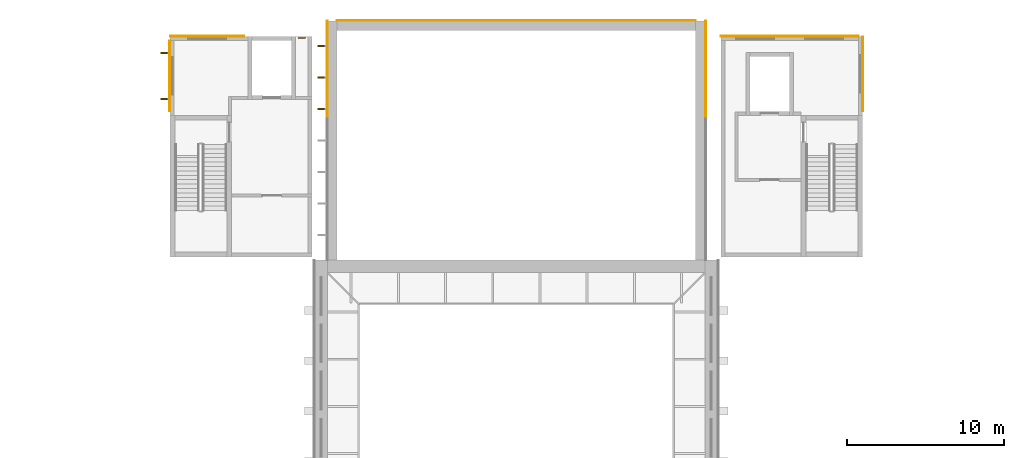
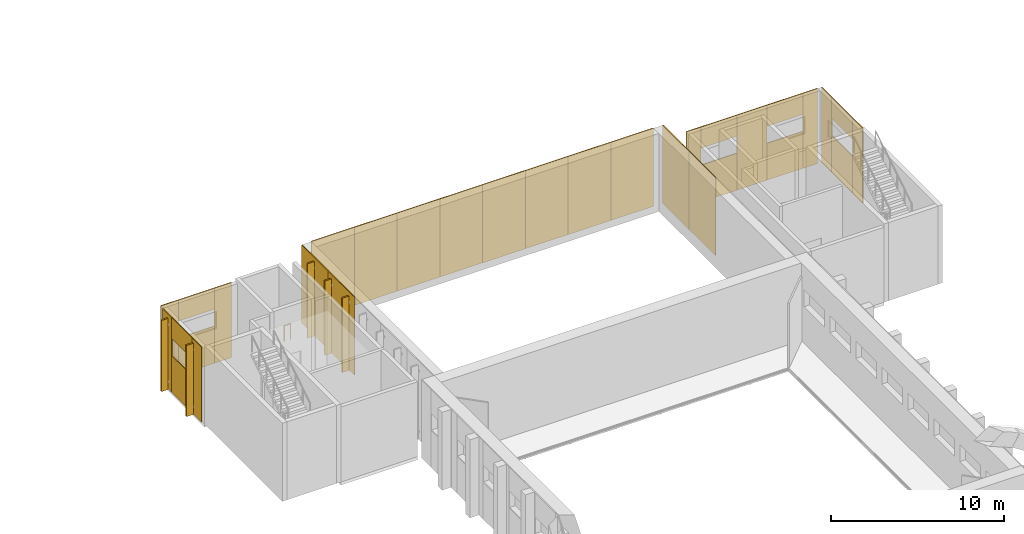
# One storey, part 91 of 94: 31 coverings, 5 shading devices, 1 railing.
"""IFC4 building model written with IfcOpenShell, lengths in metres."""

from ifc_helpers import new_model, si_unit, direction, frame, origin, origin_2d, place, context, subcontext, project, spatial, rectangle, circle, extrude, material, layer, layer_set, type_object, element, save


model = new_model("IFC4")

# Units and contexts
model_context = context("Model", 3, precision=1e-05, world=origin(), true_north=direction((0.0, 1.0)))
body_context = subcontext(model_context, "Body", "Model", "MODEL_VIEW")
ifc_project = project(units=[si_unit("LENGTHUNIT", "METRE"), si_unit("AREAUNIT", "SQUARE_METRE"), si_unit("VOLUMEUNIT", "CUBIC_METRE"), si_unit("PLANEANGLEUNIT", "RADIAN"), si_unit("MASSUNIT", "GRAM", prefix="KILO")], contexts=[model_context])

# Site, building, storey
site_placement = place(None, origin())
site = spatial("IfcSite", under=ifc_project, at=site_placement, CompositionType="ELEMENT")
building_placement = place(site_placement, origin())
building = spatial("IfcBuilding", under=site, at=building_placement, Name="Lunette Opera House", CompositionType="ELEMENT")
storey_placement = place(building_placement, frame((0.0, 0.0, 22.5)))
storey = spatial("IfcBuildingStorey", under=building, at=storey_placement, Name="L04", CompositionType="ELEMENT", Elevation=22.5)

# Railing
ifc_material_1 = material(Name="Steel S355", Category="steel")
railing_type = type_object("IfcRailingType", Name="DECK GUARD 1100", PredefinedType="GUARDRAIL", material=ifc_material_1)
railing_placement = place(storey_placement, frame((82.580078125, 134.919921875, 0.0)))
element("IfcRailing", 1, at=railing_placement, inside=storey, type_object=railing_type, Name="Deck guard 045", PredefinedType="GUARDRAIL", context=body_context, shape_type="SweptSolid", body=[
    extrude(circle(Radius=0.02392578125, at=origin_2d()), frame((0.0, 0.0, 1.076171875), z_axis=(-1.0, 0.0, 0.0), x_axis=(0.0, -1.0, 0.0)), (0.0, 0.0, 1.0), 0.420166015625),
    extrude(circle(Radius=0.02099609375, at=origin_2d()), origin(), (0.0, 0.0, 1.0), 1.052001953125),
    extrude(circle(Radius=0.02099609375, at=origin_2d()), frame((-0.420166015625, 0.0, 0.0)), (0.0, 0.0, 1.0), 1.052001953125),
])

# Shading devices
ifc_material_2 = material(Name="Powder-coated aluminium", Category="aluminium")
shading_device_type = type_object("IfcShadingDeviceType", Name="SOLAR FIN 100 X 450", PredefinedType="USERDEFINED", material=ifc_material_2)
for number, where, z_axis, x_axis, name in (
    (2, (83.614990234375, 130.39990234375, 0.115234375), (0.0, 0.0, 1.0), (-1.0, 0.0, 0.0), "Solar fin ST-W088 5"),
    (3, (83.614990234375, 132.39990234375, 0.115234375), (0.0, 0.0, 1.0), (-1.0, 0.0, 0.0), "Solar fin ST-W088 6"),
    (4, (83.614990234375, 134.39990234375, 0.115234375), (0.0, 0.0, 1.0), (-1.0, 0.0, 0.0), "Solar fin ST-W088 7"),
):
    element("IfcShadingDevice", number, at=place(storey_placement, frame(where, z_axis=z_axis, x_axis=x_axis)), inside=storey, type_object=shading_device_type, Name=name, ObjectType="SOLAR FIN", PredefinedType="USERDEFINED", context=body_context, shape_type="SweptSolid", body=[
        extrude(rectangle(XDim=0.449951171875, YDim=0.10009765625, at=origin_2d()), origin(), (0.0, 0.0, 1.0), 5.235107421875),
    ])
for number, where, z_axis, x_axis, name in (
    (5, (73.614990234375, 133.949951171875, 0.11572265625), (0.0, 0.0, 1.0), (-1.0, 0.0, 0.0), "Solar fin ST-W2032 1"),
    (6, (73.614990234375, 131.050048828125, 0.11572265625), (0.0, 0.0, 1.0), (-1.0, 0.0, 0.0), "Solar fin ST-W2032 2"),
):
    element("IfcShadingDevice", number, at=place(storey_placement, frame(where, z_axis=z_axis, x_axis=x_axis)), inside=storey, type_object=shading_device_type, Name=name, ObjectType="SOLAR FIN", PredefinedType="USERDEFINED", context=body_context, shape_type="SweptSolid", body=[
        extrude(rectangle(XDim=0.449951171875, YDim=0.10009765625, at=origin_2d()), origin(), (0.0, 0.0, 1.0), 5.014892578125),
    ])

# Coverings
ifc_material_3 = material(Name="Aluminium standing seam cladding", Category="aluminium")
ifc_layer = layer(ifc_material_3, 0.06005859375)
ifc_layer_set = layer_set([ifc_layer], Name="Aluminium standing seam cladding")
covering_type = type_object("IfcCoveringType", Name="STANDING SEAM CLADDING 60", PredefinedType="CLADDING", material=ifc_layer_set)
for number, where, z_axis, x_axis, name in (
    (7, (83.969970703125, 131.43994140625, 0.0), (0.0, 0.0, 1.0), (0.0, 1.0, 0.0), "Standing seam cladding SR-W-1 L04 03"),
    (8, (83.969970703125, 134.47998046875, 0.0), (0.0, 0.0, 1.0), (0.0, 1.0, 0.0), "Standing seam cladding SR-W-1 L04 04"),
    (9, (108.030029296875, 131.43994140625, 0.0), (0.0, 0.0, 1.0), (0.0, 1.0, 0.0), "Standing seam cladding SR-E-1 L04 03"),
    (10, (108.030029296875, 134.47998046875, 0.0), (0.0, 0.0, 1.0), (0.0, 1.0, 0.0), "Standing seam cladding SR-E-1 L04 04"),
):
    element("IfcCovering", number, at=place(storey_placement, frame(where, z_axis=z_axis, x_axis=x_axis)), inside=storey, type_object=covering_type, Name=name, PredefinedType="CLADDING", context=body_context, shape_type="SweptSolid", body=[
        extrude(rectangle(XDim=3.0400390625, YDim=0.06005859375, at=origin_2d()), origin(), (0.0, 0.0, 1.0), 5.5),
    ])
for number, where, z_axis, x_axis, name in (
    (11, (86.02490234375, 136.030029296875, 0.0), (0.0, 0.0, 1.0), (1.0, 0.0, 0.0), "Standing seam cladding SR-N-1 L04 00"),
    (12, (88.875, 136.030029296875, 0.0), (0.0, 0.0, 1.0), (1.0, 0.0, 0.0), "Standing seam cladding SR-N-1 L04 01"),
    (13, (91.72509765625, 136.030029296875, 0.0), (0.0, 0.0, 1.0), (1.0, 0.0, 0.0), "Standing seam cladding SR-N-1 L04 02"),
    (14, (94.574951171875, 136.030029296875, 0.0), (0.0, 0.0, 1.0), (1.0, 0.0, 0.0), "Standing seam cladding SR-N-1 L04 03"),
    (15, (97.425048828125, 136.030029296875, 0.0), (0.0, 0.0, 1.0), (1.0, 0.0, 0.0), "Standing seam cladding SR-N-1 L04 04"),
    (16, (100.27490234375, 136.030029296875, 0.0), (0.0, 0.0, 1.0), (1.0, 0.0, 0.0), "Standing seam cladding SR-N-1 L04 05"),
    (17, (103.125, 136.030029296875, 0.0), (0.0, 0.0, 1.0), (1.0, 0.0, 0.0), "Standing seam cladding SR-N-1 L04 06"),
    (18, (105.97509765625, 136.030029296875, 0.0), (0.0, 0.0, 1.0), (1.0, 0.0, 0.0), "Standing seam cladding SR-N-1 L04 07"),
):
    element("IfcCovering", number, at=place(storey_placement, frame(where, z_axis=z_axis, x_axis=x_axis)), inside=storey, type_object=covering_type, Name=name, PredefinedType="CLADDING", context=body_context, shape_type="SweptSolid", body=[
        extrude(rectangle(XDim=2.85009765625, YDim=0.06005859375, at=origin_2d()), origin(), (0.0, 0.0, 1.0), 5.5),
    ])
covering_1_placement = place(storey_placement, frame((78.126953125, 135.030029296875, 0.0), z_axis=(0.0, 0.0, 1.0), x_axis=(-1.0, 0.0, 0.0)))
element("IfcCovering", 19, at=covering_1_placement, inside=storey, type_object=covering_type, Name="Standing seam cladding TW31 L04 00", PredefinedType="CLADDING", context=body_context, shape_type="SweptSolid", body=[
    extrude(rectangle(XDim=1.15087890625, YDim=0.06005859375, at=origin_2d()), origin(), (0.0, 0.0, 1.0), 5.280029296875),
])
covering_2_placement = place(storey_placement, frame((76.35205078125, 135.030029296875, 0.0), z_axis=(0.0, 0.0, 1.0), x_axis=(-1.0, 0.0, 0.0)))
element("IfcCovering", 20, at=covering_2_placement, inside=storey, type_object=covering_type, Name="Standing seam cladding TW31 L04 10", PredefinedType="CLADDING", context=body_context, shape_type="SweptSolid", body=[
    extrude(rectangle(XDim=2.39990234375, YDim=0.06005859375, at=origin_2d()), origin(), (0.0, 0.0, 1.0), 2.60009765625),
])
covering_3_placement = place(storey_placement, frame((76.35205078125, 135.030029296875, 3.800048828125), z_axis=(0.0, 0.0, 1.0), x_axis=(-1.0, 0.0, 0.0)))
element("IfcCovering", 21, at=covering_3_placement, inside=storey, type_object=covering_type, Name="Standing seam cladding TW31 L04 11", PredefinedType="CLADDING", context=body_context, shape_type="SweptSolid", body=[
    extrude(rectangle(XDim=2.39990234375, YDim=0.06005859375, at=origin_2d()), origin(), (0.0, 0.0, 1.0), 1.47998046875),
])
covering_4_placement = place(storey_placement, frame((74.575927734375, 135.030029296875, 0.0), z_axis=(0.0, 0.0, 1.0), x_axis=(-1.0, 0.0, 0.0)))
element("IfcCovering", 22, at=covering_4_placement, inside=storey, type_object=covering_type, Name="Standing seam cladding TW31 L04 20", PredefinedType="CLADDING", context=body_context, shape_type="SweptSolid", body=[
    extrude(rectangle(XDim=1.152099609375, YDim=0.06005859375, at=origin_2d()), origin(), (0.0, 0.0, 1.0), 5.280029296875),
])
covering_5_placement = place(storey_placement, frame((73.969970703125, 134.22509765625, 0.0), z_axis=(0.0, 0.0, 1.0), x_axis=(0.0, -1.0, 0.0)))
element("IfcCovering", 23, at=covering_5_placement, inside=storey, type_object=covering_type, Name="Standing seam cladding TW32 L04 00", PredefinedType="CLADDING", context=body_context, shape_type="SweptSolid", body=[
    extrude(rectangle(XDim=1.050048828125, YDim=0.06005859375, at=origin_2d()), origin(), (0.0, 0.0, 1.0), 5.280029296875),
])
covering_6_placement = place(storey_placement, frame((73.969970703125, 132.5, 0.0), z_axis=(0.0, 0.0, 1.0), x_axis=(0.0, -1.0, 0.0)))
element("IfcCovering", 24, at=covering_6_placement, inside=storey, type_object=covering_type, Name="Standing seam cladding TW32 L04 10", PredefinedType="CLADDING", context=body_context, shape_type="SweptSolid", body=[
    extrude(rectangle(XDim=2.39990234375, YDim=0.06005859375, at=origin_2d()), origin(), (0.0, 0.0, 1.0), 2.60009765625),
])
covering_7_placement = place(storey_placement, frame((73.969970703125, 132.5, 3.800048828125), z_axis=(0.0, 0.0, 1.0), x_axis=(0.0, -1.0, 0.0)))
element("IfcCovering", 25, at=covering_7_placement, inside=storey, type_object=covering_type, Name="Standing seam cladding TW32 L04 11", PredefinedType="CLADDING", context=body_context, shape_type="SweptSolid", body=[
    extrude(rectangle(XDim=2.39990234375, YDim=0.06005859375, at=origin_2d()), origin(), (0.0, 0.0, 1.0), 1.47998046875),
])
covering_8_placement = place(storey_placement, frame((73.969970703125, 130.77490234375, 0.0), z_axis=(0.0, 0.0, 1.0), x_axis=(0.0, -1.0, 0.0)))
element("IfcCovering", 26, at=covering_8_placement, inside=storey, type_object=covering_type, Name="Standing seam cladding TW32 L04 20", PredefinedType="CLADDING", context=body_context, shape_type="SweptSolid", body=[
    extrude(rectangle(XDim=1.050048828125, YDim=0.06005859375, at=origin_2d()), origin(), (0.0, 0.0, 1.0), 5.280029296875),
])
covering_9_placement = place(storey_placement, frame((118.030029296875, 130.837890625, 0.0), z_axis=(0.0, 0.0, 1.0), x_axis=(0.0, 1.0, 0.0)))
element("IfcCovering", 27, at=covering_9_placement, inside=storey, type_object=covering_type, Name="Standing seam cladding TE37 L04 00", PredefinedType="CLADDING", context=body_context, shape_type="SweptSolid", body=[
    extrude(rectangle(XDim=1.175048828125, YDim=0.06005859375, at=origin_2d()), origin(), (0.0, 0.0, 1.0), 5.280029296875),
])
covering_10_placement = place(storey_placement, frame((118.030029296875, 132.625, 0.0), z_axis=(0.0, 0.0, 1.0), x_axis=(0.0, 1.0, 0.0)))
element("IfcCovering", 28, at=covering_10_placement, inside=storey, type_object=covering_type, Name="Standing seam cladding TE37 L04 10", PredefinedType="CLADDING", context=body_context, shape_type="SweptSolid", body=[
    extrude(rectangle(XDim=2.39990234375, YDim=0.06005859375, at=origin_2d()), origin(), (0.0, 0.0, 1.0), 2.60009765625),
])
covering_11_placement = place(storey_placement, frame((118.030029296875, 132.625, 3.800048828125), z_axis=(0.0, 0.0, 1.0), x_axis=(0.0, 1.0, 0.0)))
element("IfcCovering", 29, at=covering_11_placement, inside=storey, type_object=covering_type, Name="Standing seam cladding TE37 L04 11", PredefinedType="CLADDING", context=body_context, shape_type="SweptSolid", body=[
    extrude(rectangle(XDim=2.39990234375, YDim=0.06005859375, at=origin_2d()), origin(), (0.0, 0.0, 1.0), 1.47998046875),
])
covering_12_placement = place(storey_placement, frame((118.030029296875, 134.412109375, 0.0), z_axis=(0.0, 0.0, 1.0), x_axis=(0.0, 1.0, 0.0)))
element("IfcCovering", 30, at=covering_12_placement, inside=storey, type_object=covering_type, Name="Standing seam cladding TE37 L04 20", PredefinedType="CLADDING", context=body_context, shape_type="SweptSolid", body=[
    extrude(rectangle(XDim=1.175048828125, YDim=0.06005859375, at=origin_2d()), origin(), (0.0, 0.0, 1.0), 5.280029296875),
])
covering_13_placement = place(storey_placement, frame((117.256103515625, 135.030029296875, 0.0), z_axis=(0.0, 0.0, 1.0), x_axis=(-1.0, 0.0, 0.0)))
element("IfcCovering", 31, at=covering_13_placement, inside=storey, type_object=covering_type, Name="Standing seam cladding TE38 L04 00", PredefinedType="CLADDING", context=body_context, shape_type="SweptSolid", body=[
    extrude(rectangle(XDim=0.988037109375, YDim=0.06005859375, at=origin_2d()), origin(), (0.0, 0.0, 1.0), 5.280029296875),
])
covering_14_placement = place(storey_placement, frame((115.56201171875, 135.030029296875, 0.0), z_axis=(0.0, 0.0, 1.0), x_axis=(-1.0, 0.0, 0.0)))
element("IfcCovering", 32, at=covering_14_placement, inside=storey, type_object=covering_type, Name="Standing seam cladding TE38 L04 10", PredefinedType="CLADDING", context=body_context, shape_type="SweptSolid", body=[
    extrude(rectangle(XDim=2.39990234375, YDim=0.06005859375, at=origin_2d()), origin(), (0.0, 0.0, 1.0), 2.60009765625),
])
covering_15_placement = place(storey_placement, frame((115.56201171875, 135.030029296875, 3.800048828125), z_axis=(0.0, 0.0, 1.0), x_axis=(-1.0, 0.0, 0.0)))
element("IfcCovering", 33, at=covering_15_placement, inside=storey, type_object=covering_type, Name="Standing seam cladding TE38 L04 11", PredefinedType="CLADDING", context=body_context, shape_type="SweptSolid", body=[
    extrude(rectangle(XDim=2.39990234375, YDim=0.06005859375, at=origin_2d()), origin(), (0.0, 0.0, 1.0), 1.47998046875),
])
covering_16_placement = place(storey_placement, frame((113.375, 135.030029296875, 0.0), z_axis=(0.0, 0.0, 1.0), x_axis=(-1.0, 0.0, 0.0)))
element("IfcCovering", 34, at=covering_16_placement, inside=storey, type_object=covering_type, Name="Standing seam cladding TE38 L04 20", PredefinedType="CLADDING", context=body_context, shape_type="SweptSolid", body=[
    extrude(rectangle(XDim=1.97509765625, YDim=0.06005859375, at=origin_2d()), origin(), (0.0, 0.0, 1.0), 5.280029296875),
])
covering_17_placement = place(storey_placement, frame((111.18798828125, 135.030029296875, 0.0), z_axis=(0.0, 0.0, 1.0), x_axis=(-1.0, 0.0, 0.0)))
element("IfcCovering", 35, at=covering_17_placement, inside=storey, type_object=covering_type, Name="Standing seam cladding TE38 L04 30", PredefinedType="CLADDING", context=body_context, shape_type="SweptSolid", body=[
    extrude(rectangle(XDim=2.39990234375, YDim=0.06005859375, at=origin_2d()), origin(), (0.0, 0.0, 1.0), 2.60009765625),
])
covering_18_placement = place(storey_placement, frame((111.18798828125, 135.030029296875, 3.800048828125), z_axis=(0.0, 0.0, 1.0), x_axis=(-1.0, 0.0, 0.0)))
element("IfcCovering", 36, at=covering_18_placement, inside=storey, type_object=covering_type, Name="Standing seam cladding TE38 L04 31", PredefinedType="CLADDING", context=body_context, shape_type="SweptSolid", body=[
    extrude(rectangle(XDim=2.39990234375, YDim=0.06005859375, at=origin_2d()), origin(), (0.0, 0.0, 1.0), 1.47998046875),
])
covering_19_placement = place(storey_placement, frame((109.493896484375, 135.030029296875, 0.0), z_axis=(0.0, 0.0, 1.0), x_axis=(-1.0, 0.0, 0.0)))
element("IfcCovering", 37, at=covering_19_placement, inside=storey, type_object=covering_type, Name="Standing seam cladding TE38 L04 40", PredefinedType="CLADDING", context=body_context, shape_type="SweptSolid", body=[
    extrude(rectangle(XDim=0.987060546875, YDim=0.06005859375, at=origin_2d()), origin(), (0.0, 0.0, 1.0), 5.280029296875),
])

save(model, "model.ifc")
